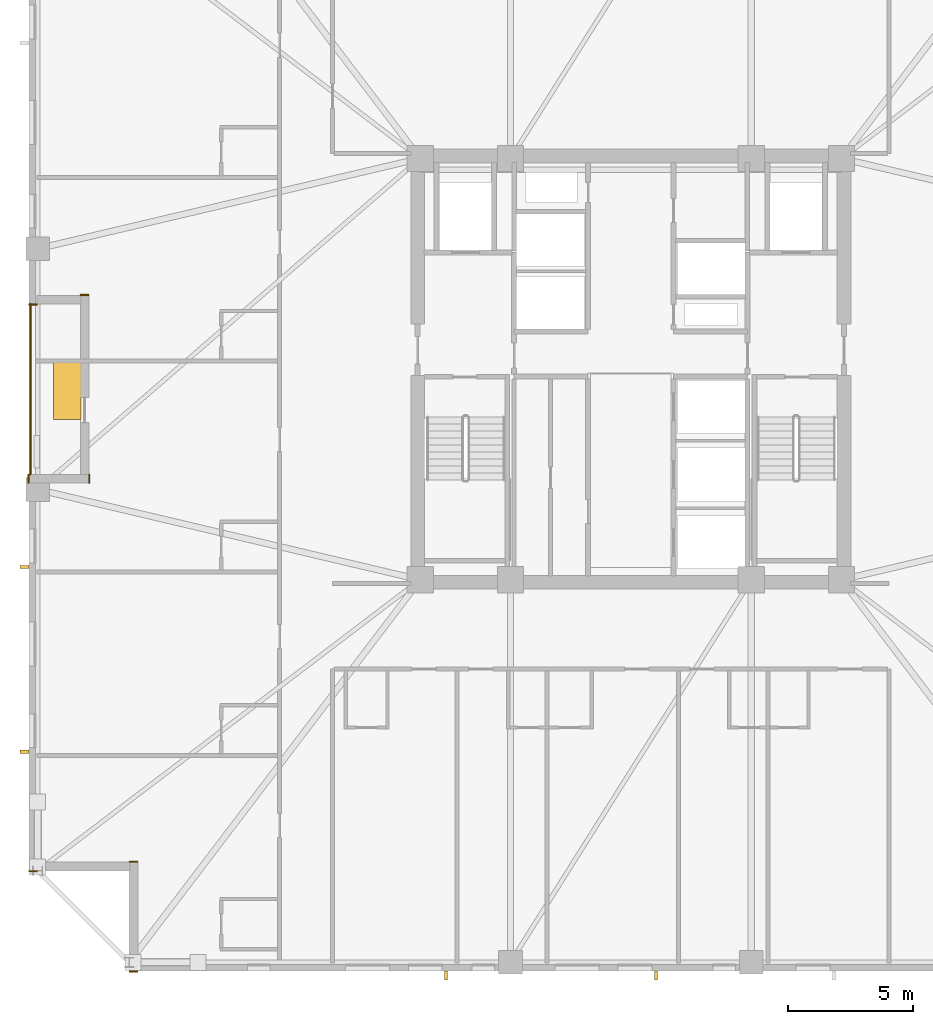
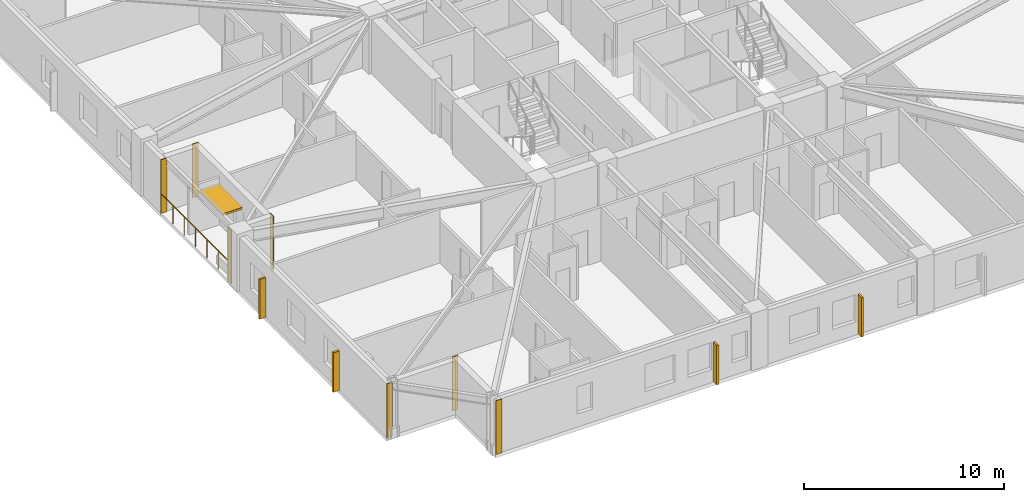
# One storey, part 7 of 11: 7 coverings, 5 shading devices, 1 railing.
"""IFC4 building model written with IfcOpenShell, lengths in metres."""

from ifc_helpers import new_model, si_unit, direction, frame, frame_2d, origin, origin_2d, place, context, subcontext, project, spatial, rectangle, circle, extrude, material, layer, layer_set, type_object, element, save


model = new_model("IFC4")

# Units and contexts
model_context = context("Model", 3, precision=1e-05, world=origin(), true_north=direction((0.0, 1.0)))
body_context = subcontext(model_context, "Body", "Model", "MODEL_VIEW")
ifc_project = project(units=[si_unit("LENGTHUNIT", "METRE"), si_unit("AREAUNIT", "SQUARE_METRE"), si_unit("VOLUMEUNIT", "CUBIC_METRE"), si_unit("PLANEANGLEUNIT", "RADIAN"), si_unit("MASSUNIT", "GRAM", prefix="KILO")], contexts=[model_context])

# Site, building, storey
site_placement = place(None, origin())
site = spatial("IfcSite", under=ifc_project, at=site_placement, CompositionType="ELEMENT")
building_placement = place(site_placement, origin())
building = spatial("IfcBuilding", under=site, at=building_placement, Name="Cairnveth Concourse Tower", CompositionType="ELEMENT")
storey_placement = place(building_placement, frame((0.0, 0.0, 120.0)))
storey = spatial("IfcBuildingStorey", under=building, at=storey_placement, Name="L32", CompositionType="ELEMENT", Elevation=120.0)

# Coverings
ifc_material_1 = material(Name="Dressed Melbourne Bluestone Cladding", Category="masonry")
ifc_layer = layer(ifc_material_1, 0.050048828125)
ifc_layer_set = layer_set([ifc_layer], Name="Dressed Melbourne Bluestone Cladding")
covering_type = type_object("IfcCoveringType", Name="DRESSED BLUESTONE PLINTH CLADDING 50", PredefinedType="CLADDING", material=ifc_layer_set)
for number, where, z_axis, x_axis, name in (
    (1, (28.340087890625, 41.580078125, 0.0), (0.0, 0.0, 1.0), (-1.0, 0.0, 0.0), "Melbourne Bluestone Corner Quoin L32-451"),
    (2, (32.340087890625, 14.97998046875, 0.0), (0.0, 0.0, 1.0), (-1.0, 0.0, 0.0), "Melbourne Bluestone Corner Quoin L32-461"),
    (3, (32.340087890625, 19.360107421875, 0.0), (0.0, 0.0, 1.0), (-1.0, 0.0, 0.0), "Melbourne Bluestone Corner Quoin L32-462"),
    (4, (28.340087890625, 18.97998046875, 0.0), (0.0, 0.0, 1.0), (-1.0, 0.0, 0.0), "Melbourne Bluestone Corner Quoin L32-463"),
    (5, (27.97998046875, 34.4599609375, 0.0), (0.0, 0.0, 1.0), (0.0, 1.0, 0.0), "Melbourne Bluestone Corner Quoin L32-464"),
    (6, (30.409912109375, 34.4599609375, 0.0), (0.0, 0.0, 1.0), (0.0, 1.0, 0.0), "Melbourne Bluestone Corner Quoin L32-465"),
):
    element("IfcCovering", number, at=place(storey_placement, frame(where, z_axis=z_axis, x_axis=x_axis)), inside=storey, type_object=covering_type, Name=name, PredefinedType="CLADDING", context=body_context, shape_type="SweptSolid", body=[
        extrude(rectangle(XDim=0.340087890625, YDim=0.050048828125, at=frame_2d((0.169921875, 0.0))), origin(), (0.0, 0.0, 1.0), 3.280029296875),
    ])
covering_placement = place(storey_placement, frame((30.389892578125, 41.9599609375, 0.0), z_axis=(0.0, 0.0, 1.0), x_axis=(-1.0, 0.0, 0.0)))
element("IfcCovering", 7, at=covering_placement, inside=storey, type_object=covering_type, Name="Melbourne Bluestone Corner Quoin L32-466", PredefinedType="CLADDING", context=body_context, shape_type="SweptSolid", body=[
    extrude(rectangle(XDim=0.33984375, YDim=0.050048828125, at=frame_2d((0.169921875, 0.0))), origin(), (0.0, 0.0, 1.0), 3.280029296875),
])

# Shading devices
ifc_material_2 = material(Name="Architectural Bronze Anodised Aluminium 6063-T6", Category="aluminium")
shading_device_type_1 = type_object("IfcShadingDeviceType", Name="GOTHIC BRONZE VERTICAL LANCET FIN", PredefinedType="USERDEFINED", material=ifc_material_2)
for number, where, z_axis, x_axis, name in (
    (8, (52.993896484375, 14.824951171875, 0.030029296875), (0.0, 0.0, 1.0), (1.0, 0.0, 0.0), "Gothic Bronze Vertical Fin L32-9-5"),
    (9, (44.636962890625, 14.824951171875, 0.030029296875), (0.0, 0.0, 1.0), (1.0, 0.0, 0.0), "Gothic Bronze Vertical Fin L32-9-7"),
    (10, (27.824951171875, 23.745361328125, 0.030029296875), (0.0, 0.0, 1.0), (0.0, 1.0, 0.0), "Gothic Bronze Vertical Fin L32-12-1"),
    (11, (27.824951171875, 31.11669921875, 0.030029296875), (0.0, 0.0, 1.0), (0.0, 1.0, 0.0), "Gothic Bronze Vertical Fin L32-12-3"),
):
    element("IfcShadingDevice", number, at=place(storey_placement, frame(where, z_axis=z_axis, x_axis=x_axis)), inside=storey, type_object=shading_device_type_1, Name=name, ObjectType="VERTICAL FIN", PredefinedType="USERDEFINED", context=body_context, shape_type="SweptSolid", body=[
        extrude(rectangle(XDim=0.1201171875, YDim=0.360107421875, at=origin_2d()), origin(), (0.0, 0.0, 1.0), 2.419921875),
    ])
shading_device_type_2 = type_object("IfcShadingDeviceType", Name="SPIRAL TERRACE SUNSHADE CANOPY", PredefinedType="USERDEFINED", material=ifc_material_2)
shading_device_placement = place(storey_placement, frame((29.530029296875, 38.199951171875, 2.300048828125), z_axis=(0.0, 0.0, 1.0), x_axis=(1.0, 0.0, 0.0)))
element("IfcShadingDevice", 12, at=shading_device_placement, inside=storey, type_object=shading_device_type_2, Name="Spiral Terrace Sunshade L32", ObjectType="TERRACE SUNSHADE", PredefinedType="USERDEFINED", context=body_context, shape_type="SweptSolid", body=[
    extrude(rectangle(XDim=1.10009765625, YDim=2.39990234375, at=origin_2d()), origin(), (0.0, 0.0, 1.0), 0.1201171875),
])

# Railing
railing_type = type_object("IfcRailingType", Name="TERRACE BRONZE BALUSTRADE 1150", PredefinedType="BALUSTRADE", material=ifc_material_2)
railing_placement = place(storey_placement, frame((28.06005859375, 34.800048828125, 0.0)))
element("IfcRailing", 13, at=railing_placement, inside=storey, type_object=railing_type, Name="Terrace Balustrade RL-L32-TERR", PredefinedType="BALUSTRADE", context=body_context, shape_type="SweptSolid", body=[
    extrude(circle(Radius=0.02490234375, at=origin_2d()), frame((0.0, 0.0, 1.125), z_axis=(0.0, 1.0, 0.0), x_axis=(-1.0, 0.0, 0.0)), (0.0, 0.0, 1.0), 6.800048828125),
    extrude(circle(Radius=0.02099609375, at=origin_2d()), origin(), (0.0, 0.0, 1.0), 1.099853515625),
    extrude(circle(Radius=0.02099609375, at=origin_2d()), frame((0.0, 1.13330078125, 0.0)), (0.0, 0.0, 1.0), 1.099853515625),
    extrude(circle(Radius=0.02099609375, at=origin_2d()), frame((0.0, 2.2666015625, 0.0)), (0.0, 0.0, 1.0), 1.099853515625),
    extrude(circle(Radius=0.02099609375, at=origin_2d()), frame((0.0, 3.39990234375, 0.0)), (0.0, 0.0, 1.0), 1.099853515625),
    extrude(circle(Radius=0.02099609375, at=origin_2d()), frame((0.0, 4.533447265625, 0.0)), (0.0, 0.0, 1.0), 1.099853515625),
    extrude(circle(Radius=0.02099609375, at=origin_2d()), frame((0.0, 5.666748046875, 0.0)), (0.0, 0.0, 1.0), 1.099853515625),
    extrude(circle(Radius=0.02099609375, at=origin_2d()), frame((0.0, 6.800048828125, 0.0)), (0.0, 0.0, 1.0), 1.099853515625),
])

save(model, "model.ifc")
